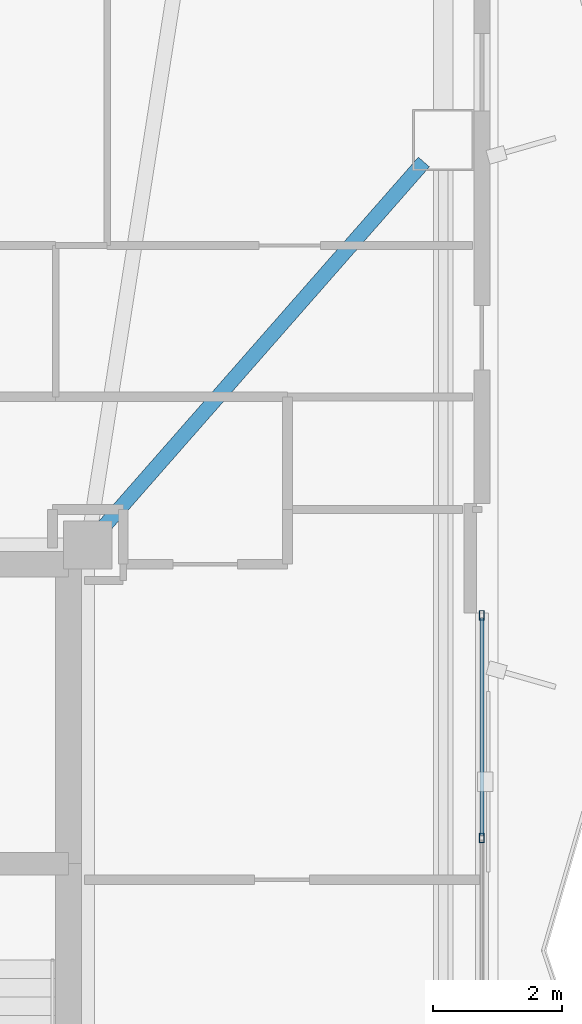
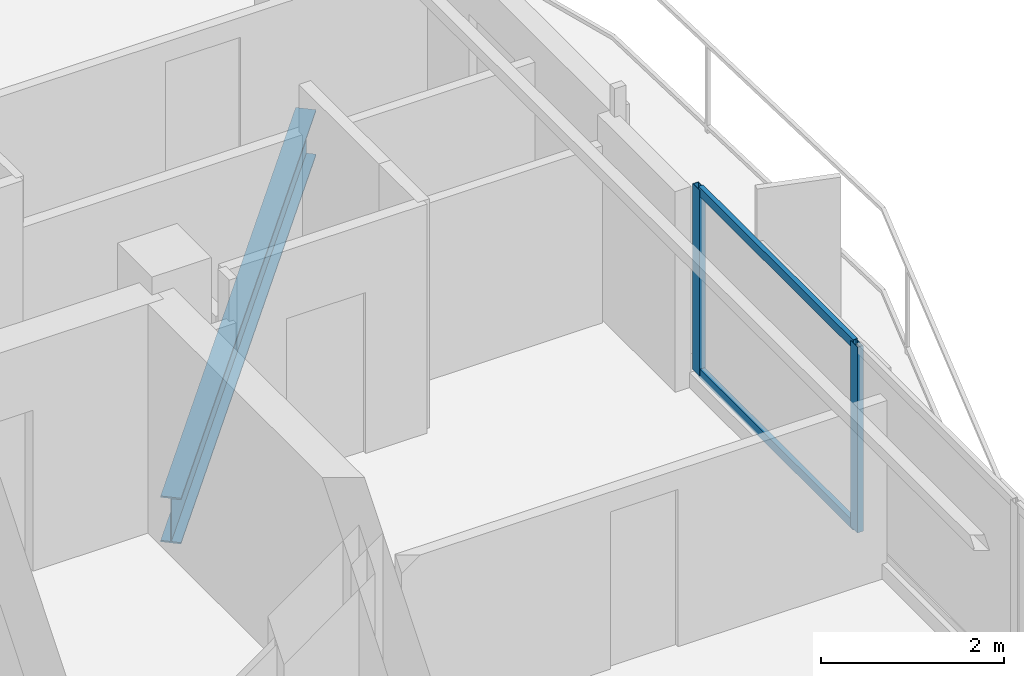
# One storey, part 9 of 19: 4 members, 1 beam, 1 element without a shape of its own.
"""IFC4 building model written with IfcOpenShell, lengths in metres."""

from ifc_helpers import new_model, si_unit, direction, frame, origin, origin_2d, place, context, subcontext, project, spatial, hollow_rectangle, i_section, extrude, material, layer, layer_set, material_profile, profile_set, type_object, element, aggregate, save


model = new_model("IFC4")

# Units and contexts
model_context = context("Model", 3, precision=1e-05, world=origin(), true_north=direction((0.0, 1.0)))
body_context = subcontext(model_context, "Body", "Model", "MODEL_VIEW")
ifc_project = project(units=[si_unit("LENGTHUNIT", "METRE"), si_unit("AREAUNIT", "SQUARE_METRE"), si_unit("VOLUMEUNIT", "CUBIC_METRE"), si_unit("PLANEANGLEUNIT", "RADIAN"), si_unit("MASSUNIT", "GRAM", prefix="KILO")], contexts=[model_context])

# Site, building, storey
site_placement = place(None, origin())
site = spatial("IfcSite", under=ifc_project, at=site_placement, CompositionType="ELEMENT")
building_placement = place(site_placement, origin())
building = spatial("IfcBuilding", under=site, at=building_placement, Name="Mersakhor Tower and Convention Hall", CompositionType="ELEMENT")
storey_placement = place(building_placement, frame((0.0, 0.0, 127.800048828125)))
storey = spatial("IfcBuildingStorey", under=building, at=storey_placement, Name="L35", CompositionType="ELEMENT", Elevation=127.800048828125)

# Beam
ifc_material_1 = material(Name="Steel S355", Category="steel")
ifc_material_profile_1 = material_profile(ifc_material_1, i_section(OverallWidth=0.22900390625, OverallDepth=0.6123046875, WebThickness=0.011962890625, FlangeThickness=0.01953125, at=origin_2d()), Name="UB 610x229x125")
ifc_profile_set_1 = profile_set([ifc_material_profile_1], Name="Steel S355")
beam_type = type_object("IfcBeamType", Name="BM-PR-610", PredefinedType="BEAM", material=ifc_profile_set_1)
beam_placement = place(storey_placement, frame((36.334228515625, 33.31689453125, -0.546142578125), z_axis=(0.65963831109, 0.751583194691, 0.0), x_axis=(-0.751583194691, 0.65963831109, 0.0)))
element("IfcBeam", 1, at=beam_placement, inside=storey, type_object=beam_type, Name="L35 Primary Floor Girder FG-3", PredefinedType="BEAM", context=body_context, shape_type="SweptSolid", body=[
    extrude(i_section(OverallWidth=0.22900390625, OverallDepth=0.6123046875, WebThickness=0.011962890625, FlangeThickness=0.01953125, at=origin_2d()), origin(), (0.0, 0.0, 1.0), 7.556884765625),
])

# Curtain wall, members
ifc_material_2 = material(Name="Dark solar low-E aluminium curtain wall", Category="aluminium")
ifc_layer = layer(ifc_material_2, 0.169921875)
ifc_layer_set = layer_set([ifc_layer], Name="Dark solar low-E aluminium curtain wall")
curtain_wall_type = type_object("IfcCurtainWallType", Name="CW-SYS-02", PredefinedType="USERDEFINED", material=ifc_layer_set)
curtain_wall_placement = place(storey_placement, origin())
curtain_wall = element("IfcCurtainWall", 2, at=curtain_wall_placement, inside=storey, type_object=curtain_wall_type, Name="L35 Dark-Glass Curtain Wall F2-B2", ObjectType="CURTAIN WALL", PredefinedType="USERDEFINED")
ifc_material_3 = material(Name="Anodised aluminium EN AW-6063 T6", Category="aluminium")
ifc_material_profile_2 = material_profile(ifc_material_3, hollow_rectangle(XDim=0.074951171875, YDim=0.14990234375, WallThickness=0.00634765625, at=origin_2d()), Name="RHS 150x75x6.3")
ifc_profile_set_2 = profile_set([ifc_material_profile_2], Name="Anodised aluminium EN AW-6063 T6")
member_type_1 = type_object("IfcMemberType", Name="CWM-150x75", PredefinedType="MULLION", material=ifc_profile_set_2)
member_1_placement = place(storey_placement, frame((42.21923828125, 31.95556640625, 0.199951171875), z_axis=(0.0, 0.0, 1.0), x_axis=(1.0, 0.0, 0.0)))
member_1 = element("IfcMember", 3, at=member_1_placement, type_object=member_type_1, Name="CW-02 mullion 1", PredefinedType="MULLION", context=body_context, shape_type="SweptSolid", body=[
    extrude(hollow_rectangle(XDim=0.074951171875, YDim=0.14990234375, WallThickness=0.00634765625, at=origin_2d()), origin(), (0.0, 0.0, 1.0), 2.47998046875),
])
member_2_placement = place(storey_placement, frame((42.21923828125, 28.49755859375, 0.199951171875), z_axis=(0.0, 0.0, 1.0), x_axis=(1.0, 0.0, 0.0)))
member_2 = element("IfcMember", 4, at=member_2_placement, type_object=member_type_1, Name="CW-02 mullion 2", PredefinedType="MULLION", context=body_context, shape_type="SweptSolid", body=[
    extrude(hollow_rectangle(XDim=0.074951171875, YDim=0.14990234375, WallThickness=0.00634765625, at=origin_2d()), origin(), (0.0, 0.0, 1.0), 2.47998046875),
])
ifc_material_4 = material(Name="Anodised aluminium EN AW-6063 T6", Category="aluminium")
ifc_material_profile_3 = material_profile(ifc_material_4, hollow_rectangle(XDim=0.06005859375, YDim=0.1201171875, WallThickness=0.0048828125, at=origin_2d()), Name="RHS 120x60x5")
ifc_profile_set_3 = profile_set([ifc_material_profile_3], Name="Anodised aluminium EN AW-6063 T6")
member_type_2 = type_object("IfcMemberType", Name="CWT-120x60", PredefinedType="USERDEFINED", material=ifc_profile_set_3)
member_3_placement = place(storey_placement, frame((42.21923828125, 31.91796875, 0.22998046875), z_axis=(0.0, -1.0, 0.0), x_axis=(1.0, 0.0, 0.0)))
member_3 = element("IfcMember", 5, at=member_3_placement, type_object=member_type_2, Name="CW-02 transom 1.1", ObjectType="TRANSOM", PredefinedType="USERDEFINED", context=body_context, shape_type="SweptSolid", body=[
    extrude(hollow_rectangle(XDim=0.06005859375, YDim=0.1201171875, WallThickness=0.0048828125, at=origin_2d()), origin(), (0.0, 0.0, 1.0), 3.3828125),
])
member_4_placement = place(storey_placement, frame((42.21923828125, 31.91796875, 2.64990234375), z_axis=(0.0, -1.0, 0.0), x_axis=(1.0, 0.0, 0.0)))
member_4 = element("IfcMember", 6, at=member_4_placement, type_object=member_type_2, Name="CW-02 transom 1.2", ObjectType="TRANSOM", PredefinedType="USERDEFINED", context=body_context, shape_type="SweptSolid", body=[
    extrude(hollow_rectangle(XDim=0.06005859375, YDim=0.1201171875, WallThickness=0.0048828125, at=origin_2d()), origin(), (0.0, 0.0, 1.0), 3.3828125),
])
aggregate(curtain_wall, [member_1, member_2, member_3, member_4])

save(model, "model.ifc")
